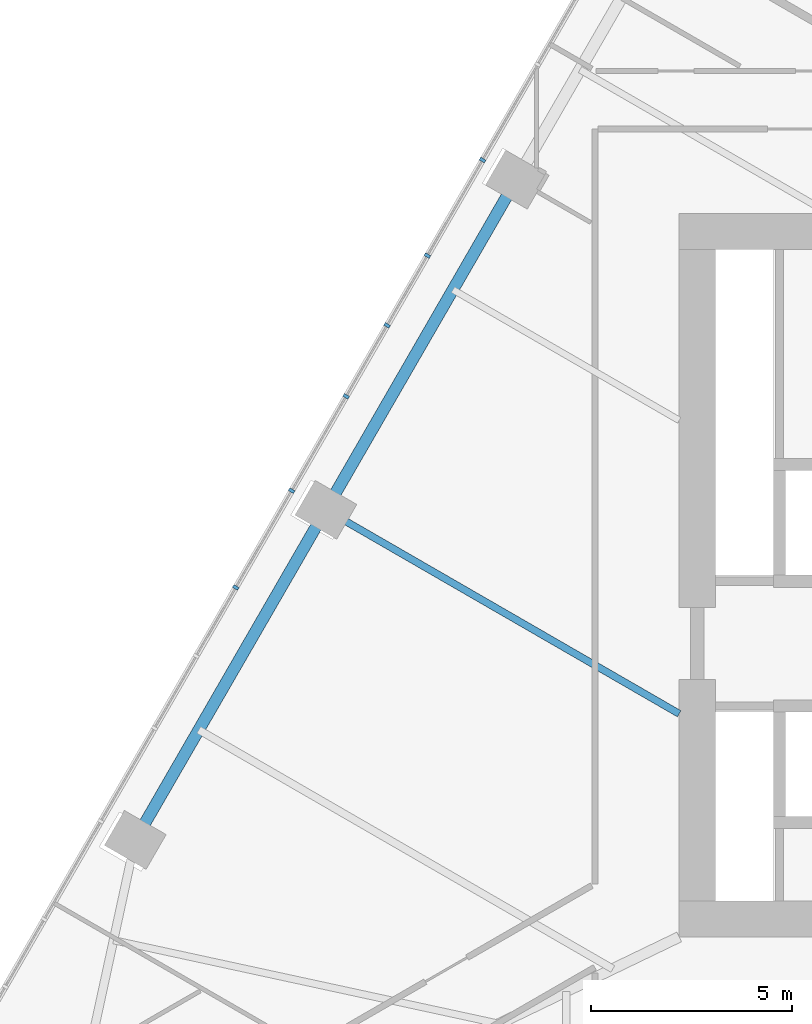
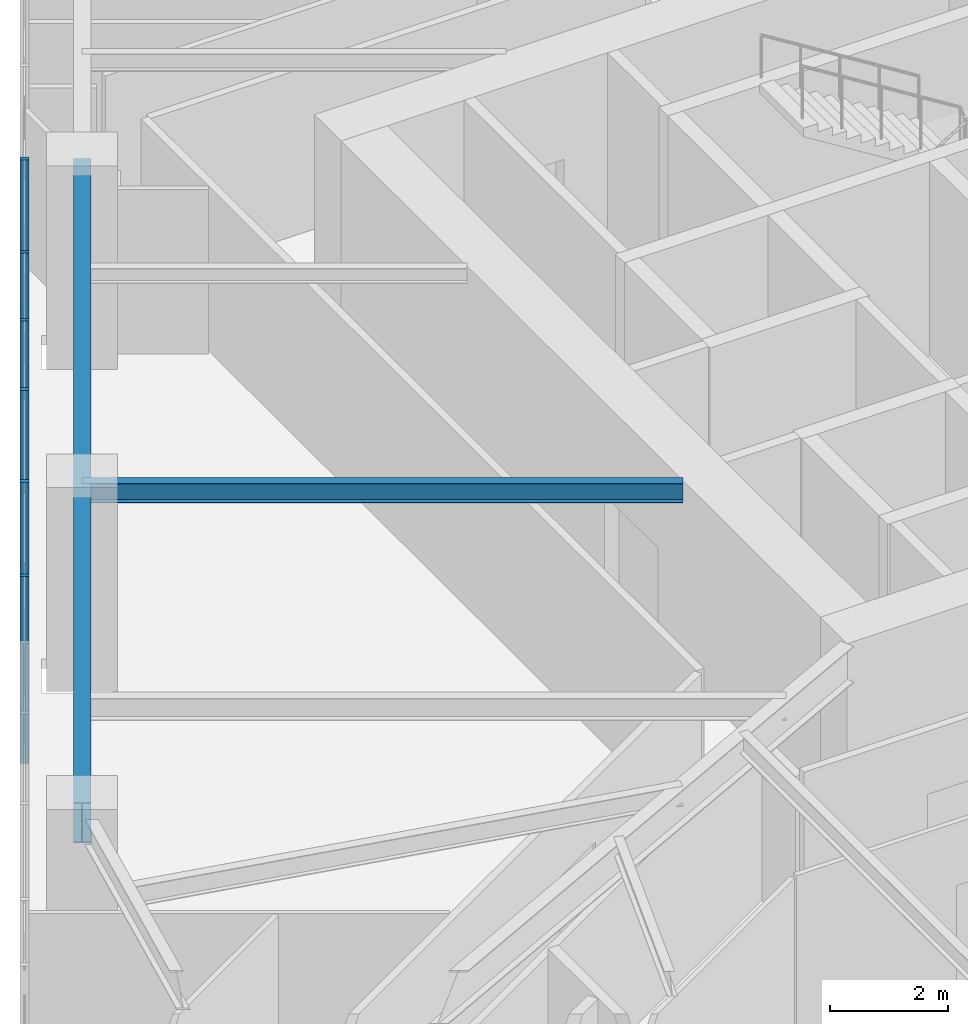
# One storey, part 3 of 21: 6 members, 2 beams, 1 element without a shape of its own.
"""IFC4 building model written with IfcOpenShell, lengths in metres."""

from ifc_helpers import new_model, si_unit, direction, frame, origin, origin_2d, place, context, subcontext, project, spatial, rectangle, i_section, extrude, material, layer, layer_set, material_profile, profile_set, type_object, element, aggregate, save


model = new_model("IFC4")

# Units and contexts
model_context = context("Model", 3, precision=1e-05, world=origin(), true_north=direction((0.0, 1.0)))
body_context = subcontext(model_context, "Body", "Model", "MODEL_VIEW")
ifc_project = project(units=[si_unit("LENGTHUNIT", "METRE"), si_unit("AREAUNIT", "SQUARE_METRE"), si_unit("VOLUMEUNIT", "CUBIC_METRE"), si_unit("PLANEANGLEUNIT", "RADIAN"), si_unit("MASSUNIT", "GRAM", prefix="KILO")], contexts=[model_context])

# Site, building, storey
site_placement = place(None, origin())
site = spatial("IfcSite", under=ifc_project, at=site_placement, CompositionType="ELEMENT")
building_placement = place(site_placement, origin())
building = spatial("IfcBuilding", under=site, at=building_placement, Name="Firuza Gate Tower and Library", CompositionType="ELEMENT")
storey_placement = place(building_placement, frame((0.0, 0.0, 69.39990234375)))
storey = spatial("IfcBuildingStorey", under=building, at=storey_placement, Name="L15", CompositionType="ELEMENT", Elevation=69.39990234375)

# Curtain wall, members
ifc_material_1 = material(Name="Aluminium 6063-T6", Category="aluminium")
ifc_layer = layer(ifc_material_1, 0.14990234375)
ifc_layer_set = layer_set([ifc_layer], Name="Unitised curtain wall, offices")
curtain_wall_type = type_object("IfcCurtainWallType", Name="Unitised curtain wall, offices", PredefinedType="NOTDEFINED", material=ifc_layer_set)
curtain_wall_placement = place(storey_placement, origin())
curtain_wall = element("IfcCurtainWall", 1, at=curtain_wall_placement, inside=storey, type_object=curtain_wall_type, Name="CW1 L15 W face", PredefinedType="NOTDEFINED")
ifc_material_2 = material(Name="Aluminium 6063-T6", Category="aluminium")
ifc_material_profile_1 = material_profile(ifc_material_2, rectangle(XDim=0.14990234375, YDim=0.080078125, at=origin_2d()))
ifc_profile_set_1 = profile_set([ifc_material_profile_1], Name="Aluminium 6063-T6")
member_type = type_object("IfcMemberType", Name="Curtain wall mullion 80x150", PredefinedType="MULLION", material=ifc_profile_set_1)
member_1_placement = place(storey_placement, frame((57.107177734375, 85.33056640625, 0.150146484375), z_axis=(0.0, 0.0, 1.0), x_axis=(0.866025403784, -0.5, 0.0)))
member_1 = element("IfcMember", 2, at=member_1_placement, type_object=member_type, Name="Mullion", PredefinedType="MULLION", context=body_context, shape_type="SweptSolid", body=[
    extrude(rectangle(XDim=0.14990234375, YDim=0.080078125, at=origin_2d()), origin(), (0.0, 0.0, 1.0), 3.849853515625),
])
member_2_placement = place(storey_placement, frame((54.732177734375, 81.217041015625, 0.150146484375), z_axis=(0.0, 0.0, 1.0), x_axis=(0.866025403784, -0.5, 0.0)))
member_2 = element("IfcMember", 3, at=member_2_placement, type_object=member_type, Name="Mullion", PredefinedType="MULLION", context=body_context, shape_type="SweptSolid", body=[
    extrude(rectangle(XDim=0.14990234375, YDim=0.080078125, at=origin_2d()), origin(), (0.0, 0.0, 1.0), 3.849853515625),
])
member_3_placement = place(storey_placement, frame((52.357177734375, 77.103515625, 0.150146484375), z_axis=(0.0, 0.0, 1.0), x_axis=(0.866025403784, -0.5, 0.0)))
member_3 = element("IfcMember", 4, at=member_3_placement, type_object=member_type, Name="Mullion", PredefinedType="MULLION", context=body_context, shape_type="SweptSolid", body=[
    extrude(rectangle(XDim=0.14990234375, YDim=0.080078125, at=origin_2d()), origin(), (0.0, 0.0, 1.0), 3.849853515625),
])
member_4_placement = place(storey_placement, frame((55.734130859375, 82.952392578125, 0.150146484375), z_axis=(0.0, 0.0, 1.0), x_axis=(0.866025403784, -0.5, 0.0)))
member_4 = element("IfcMember", 5, at=member_4_placement, type_object=member_type, Name="Mullion", PredefinedType="MULLION", context=body_context, shape_type="SweptSolid", body=[
    extrude(rectangle(XDim=0.14990234375, YDim=0.080078125, at=origin_2d()), origin(), (0.0, 0.0, 1.0), 3.849853515625),
])
member_5_placement = place(storey_placement, frame((53.712890625, 79.451416015625, 0.150146484375), z_axis=(0.0, 0.0, 1.0), x_axis=(0.866025403784, -0.5, 0.0)))
member_5 = element("IfcMember", 6, at=member_5_placement, type_object=member_type, Name="Mullion", PredefinedType="MULLION", context=body_context, shape_type="SweptSolid", body=[
    extrude(rectangle(XDim=0.14990234375, YDim=0.080078125, at=origin_2d()), origin(), (0.0, 0.0, 1.0), 3.849853515625),
])
member_6_placement = place(storey_placement, frame((50.966796875, 74.6953125, 0.150146484375), z_axis=(0.0, 0.0, 1.0), x_axis=(0.866025403784, -0.5, 0.0)))
member_6 = element("IfcMember", 7, at=member_6_placement, type_object=member_type, Name="Mullion", PredefinedType="MULLION", context=body_context, shape_type="SweptSolid", body=[
    extrude(rectangle(XDim=0.14990234375, YDim=0.080078125, at=origin_2d()), origin(), (0.0, 0.0, 1.0), 3.849853515625),
])
aggregate(curtain_wall, [member_1, member_2, member_3, member_4, member_5, member_6])

# Beams
ifc_material_3 = material(Name="Steel S355", Category="steel")
ifc_material_profile_2 = material_profile(ifc_material_3, i_section(OverallWidth=0.177978515625, OverallDepth=0.406982421875, WebThickness=0.0078125, FlangeThickness=0.0126953125, at=origin_2d()))
ifc_profile_set_2 = profile_set([ifc_material_profile_2], Name="Steel S355")
beam_type_1 = type_object("IfcBeamType", Name="W410x60 Floor beam", PredefinedType="JOIST", material=ifc_profile_set_2)
beam_1_placement = place(storey_placement, frame((53.208740234375, 76.62841796875, 3.796630859375), z_axis=(0.866033795846, -0.499985464241, 0.0), x_axis=(0.499985464241, 0.866033795846, 0.0)))
element("IfcBeam", 8, at=beam_1_placement, inside=storey, type_object=beam_type_1, Name="Floor beam L15 s84", PredefinedType="JOIST", context=body_context, shape_type="SweptSolid", body=[
    extrude(i_section(OverallWidth=0.177978515625, OverallDepth=0.406982421875, WebThickness=0.0078125, FlangeThickness=0.0126953125, at=origin_2d()), origin(), (0.0, 0.0, 1.0), 10.151123046875),
])
ifc_material_4 = material(Name="Steel S355", Category="steel")
ifc_material_profile_3 = material_profile(ifc_material_4, i_section(OverallWidth=0.2919921875, OverallDepth=0.8349609375, WebThickness=0.013916015625, FlangeThickness=0.018798828125, at=origin_2d()))
ifc_profile_set_3 = profile_set([ifc_material_profile_3], Name="Steel S355")
beam_type_2 = type_object("IfcBeamType", Name="W840x176 Edge beam", PredefinedType="SPANDREL", material=ifc_profile_set_3)
beam_2_placement = place(storey_placement, frame((57.951416015625, 84.843017578125, 3.58251953125), z_axis=(-0.500003555199, -0.866023351179, 0.0), x_axis=(0.866023351179, -0.500003555199, 0.0)))
element("IfcBeam", 9, at=beam_2_placement, inside=storey, type_object=beam_type_2, Name="Edge beam L15 e82", PredefinedType="SPANDREL", context=body_context, shape_type="SweptSolid", body=[
    extrude(i_section(OverallWidth=0.2919921875, OverallDepth=0.8349609375, WebThickness=0.013916015625, FlangeThickness=0.018798828125, at=origin_2d()), origin(), (0.0, 0.0, 1.0), 18.970458984375),
])

save(model, "model.ifc")
